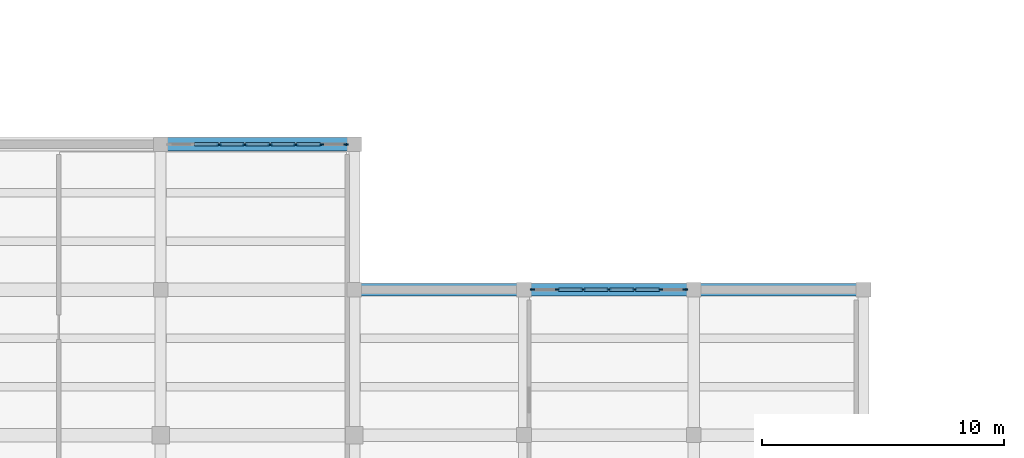
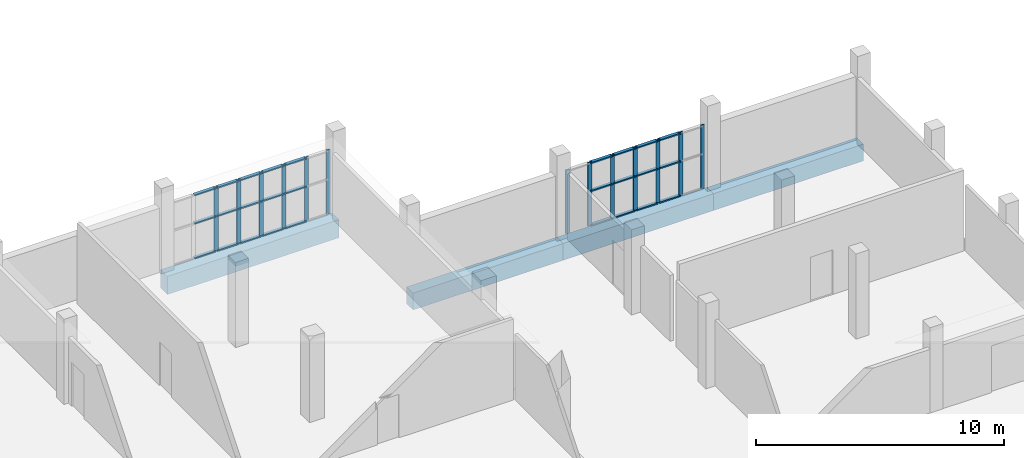
# One storey, part 31 of 85: 40 members, 4 beams, 2 elements without a shape of their own.
"""IFC4 building model written with IfcOpenShell, lengths in metres."""

from ifc_helpers import new_model, si_unit, direction, frame, origin, origin_2d, place, context, subcontext, project, spatial, rectangle, extrude, material, layer, layer_set, material_profile, profile_set, type_object, element, aggregate, save


model = new_model("IFC4")

# Units and contexts
model_context = context("Model", 3, precision=1e-05, world=origin(), true_north=direction((0.0, 1.0)))
body_context = subcontext(model_context, "Body", "Model", "MODEL_VIEW")
ifc_project = project(units=[si_unit("LENGTHUNIT", "METRE"), si_unit("AREAUNIT", "SQUARE_METRE"), si_unit("VOLUMEUNIT", "CUBIC_METRE"), si_unit("PLANEANGLEUNIT", "RADIAN"), si_unit("MASSUNIT", "GRAM", prefix="KILO")], contexts=[model_context])

# Site, building, storey
site_placement = place(None, origin())
site = spatial("IfcSite", under=ifc_project, at=site_placement, CompositionType="ELEMENT")
building_placement = place(site_placement, origin())
building = spatial("IfcBuilding", under=site, at=building_placement, Name="Solvane Community Centre", CompositionType="ELEMENT")
storey_placement = place(building_placement, frame((0.0, 0.0, 5.39990234375)))
storey = spatial("IfcBuildingStorey", under=building, at=storey_placement, Name="L01", CompositionType="ELEMENT", Elevation=5.39990234375)

# Curtain wall, members
ifc_material_1 = material(Name="Anodised bronze aluminium AW-6063 T6", Category="aluminium")
ifc_layer_1 = layer(ifc_material_1, 0.18994140625)
ifc_layer_set_1 = layer_set([ifc_layer_1], Name="Anodised bronze aluminium AW-6063 T6")
curtain_wall_type_1 = type_object("IfcCurtainWallType", Name="Boulevard Bronze Vision Curtain Wall [74x32dm]", PredefinedType="NOTDEFINED", material=ifc_layer_set_1)
curtain_wall_1_placement = place(storey_placement, origin())
curtain_wall_1 = element("IfcCurtainWall", 1, at=curtain_wall_1_placement, inside=storey, type_object=curtain_wall_type_1, Name="Curtain Wall CW-L01-1323_600-119", PredefinedType="NOTDEFINED")
ifc_material_profile_1 = material_profile(ifc_material_1, rectangle(XDim=0.06005859375, YDim=0.18994140625, at=origin_2d()), Name="CW-M 60x190")
ifc_profile_set_1 = profile_set([ifc_material_profile_1], Name="Anodised bronze aluminium AW-6063 T6")
member_type_1 = type_object("IfcMemberType", Name="Boulevard Mullion 60x190", PredefinedType="MULLION", material=ifc_profile_set_1)
member_1_placement = place(storey_placement, frame((134.420654296875, 60.0, 0.0), z_axis=(0.0, 0.0, 1.0), x_axis=(0.0, 1.0, 0.0)))
member_1 = element("IfcMember", 2, at=member_1_placement, type_object=member_type_1, Name="CW02-74x32 mullion 3", PredefinedType="MULLION", context=body_context, shape_type="SweptSolid", body=[
    extrude(rectangle(XDim=0.06005859375, YDim=0.18994140625, at=origin_2d()), origin(), (0.0, 0.0, 1.0), 3.1650390625),
])
member_2_placement = place(storey_placement, frame((135.4736328125, 60.0, 0.0), z_axis=(0.0, 0.0, 1.0), x_axis=(0.0, 1.0, 0.0)))
member_2 = element("IfcMember", 3, at=member_2_placement, type_object=member_type_1, Name="CW02-74x32 mullion 4", PredefinedType="MULLION", context=body_context, shape_type="SweptSolid", body=[
    extrude(rectangle(XDim=0.06005859375, YDim=0.18994140625, at=origin_2d()), origin(), (0.0, 0.0, 1.0), 3.1650390625),
])
member_3_placement = place(storey_placement, frame((136.5263671875, 60.0, 0.0), z_axis=(0.0, 0.0, 1.0), x_axis=(0.0, 1.0, 0.0)))
member_3 = element("IfcMember", 4, at=member_3_placement, type_object=member_type_1, Name="CW02-74x32 mullion 5", PredefinedType="MULLION", context=body_context, shape_type="SweptSolid", body=[
    extrude(rectangle(XDim=0.06005859375, YDim=0.18994140625, at=origin_2d()), origin(), (0.0, 0.0, 1.0), 3.1650390625),
])
member_4_placement = place(storey_placement, frame((137.579345703125, 60.0, 0.0), z_axis=(0.0, 0.0, 1.0), x_axis=(0.0, 1.0, 0.0)))
member_4 = element("IfcMember", 5, at=member_4_placement, type_object=member_type_1, Name="CW02-74x32 mullion 6", PredefinedType="MULLION", context=body_context, shape_type="SweptSolid", body=[
    extrude(rectangle(XDim=0.06005859375, YDim=0.18994140625, at=origin_2d()), origin(), (0.0, 0.0, 1.0), 3.1650390625),
])
member_5_placement = place(storey_placement, frame((138.632080078125, 60.0, 0.0), z_axis=(0.0, 0.0, 1.0), x_axis=(0.0, 1.0, 0.0)))
member_5 = element("IfcMember", 6, at=member_5_placement, type_object=member_type_1, Name="CW02-74x32 mullion 7", PredefinedType="MULLION", context=body_context, shape_type="SweptSolid", body=[
    extrude(rectangle(XDim=0.06005859375, YDim=0.18994140625, at=origin_2d()), origin(), (0.0, 0.0, 1.0), 3.1650390625),
])
member_6_placement = place(storey_placement, frame((139.655029296875, 60.0, 0.0), z_axis=(0.0, 0.0, 1.0), x_axis=(0.0, 1.0, 0.0)))
member_6 = element("IfcMember", 7, at=member_6_placement, type_object=member_type_1, Name="CW02-74x32 mullion 8", PredefinedType="MULLION", context=body_context, shape_type="SweptSolid", body=[
    extrude(rectangle(XDim=0.06005859375, YDim=0.18994140625, at=origin_2d()), origin(), (0.0, 0.0, 1.0), 3.1650390625),
])

ifc_layer_2 = layer(ifc_material_1, 0.18994140625)
ifc_layer_set_2 = layer_set([ifc_layer_2], Name="Anodised bronze aluminium AW-6063 T6")
curtain_wall_type_2 = type_object("IfcCurtainWallType", Name="Boulevard Bronze Vision Curtain Wall [64x31dm]", PredefinedType="NOTDEFINED", material=ifc_layer_set_2)
curtain_wall_2_placement = place(storey_placement, origin())
curtain_wall_2 = element("IfcCurtainWall", 8, at=curtain_wall_2_placement, inside=storey, type_object=curtain_wall_type_2, Name="Curtain Wall CW-L01-1473_540-120", PredefinedType="NOTDEFINED")
member_7_placement = place(storey_placement, frame((147.35009765625, 54.0, 0.0), z_axis=(0.0, 0.0, 1.0), x_axis=(0.0, 1.0, 0.0)))
member_7 = element("IfcMember", 9, at=member_7_placement, type_object=member_type_1, Name="CW02-64x31 mullion 1", PredefinedType="MULLION", context=body_context, shape_type="SweptSolid", body=[
    extrude(rectangle(XDim=0.06005859375, YDim=0.18994140625, at=origin_2d()), origin(), (0.0, 0.0, 1.0), 3.135009765625),
])
member_8_placement = place(storey_placement, frame((148.3798828125, 54.0, 0.0), z_axis=(0.0, 0.0, 1.0), x_axis=(0.0, 1.0, 0.0)))
member_8 = element("IfcMember", 10, at=member_8_placement, type_object=member_type_1, Name="CW02-64x31 mullion 2", PredefinedType="MULLION", context=body_context, shape_type="SweptSolid", body=[
    extrude(rectangle(XDim=0.06005859375, YDim=0.18994140625, at=origin_2d()), origin(), (0.0, 0.0, 1.0), 3.135009765625),
])
member_9_placement = place(storey_placement, frame((149.43994140625, 54.0, 0.0), z_axis=(0.0, 0.0, 1.0), x_axis=(0.0, 1.0, 0.0)))
member_9 = element("IfcMember", 11, at=member_9_placement, type_object=member_type_1, Name="CW02-64x31 mullion 3", PredefinedType="MULLION", context=body_context, shape_type="SweptSolid", body=[
    extrude(rectangle(XDim=0.06005859375, YDim=0.18994140625, at=origin_2d()), origin(), (0.0, 0.0, 1.0), 3.135009765625),
])
member_10_placement = place(storey_placement, frame((150.5, 54.0, 0.0), z_axis=(0.0, 0.0, 1.0), x_axis=(0.0, 1.0, 0.0)))
member_10 = element("IfcMember", 12, at=member_10_placement, type_object=member_type_1, Name="CW02-64x31 mullion 4", PredefinedType="MULLION", context=body_context, shape_type="SweptSolid", body=[
    extrude(rectangle(XDim=0.06005859375, YDim=0.18994140625, at=origin_2d()), origin(), (0.0, 0.0, 1.0), 3.135009765625),
])
member_11_placement = place(storey_placement, frame((151.56005859375, 54.0, 0.0), z_axis=(0.0, 0.0, 1.0), x_axis=(0.0, 1.0, 0.0)))
member_11 = element("IfcMember", 13, at=member_11_placement, type_object=member_type_1, Name="CW02-64x31 mullion 5", PredefinedType="MULLION", context=body_context, shape_type="SweptSolid", body=[
    extrude(rectangle(XDim=0.06005859375, YDim=0.18994140625, at=origin_2d()), origin(), (0.0, 0.0, 1.0), 3.135009765625),
])
member_12_placement = place(storey_placement, frame((152.6201171875, 54.0, 0.0), z_axis=(0.0, 0.0, 1.0), x_axis=(0.0, 1.0, 0.0)))
member_12 = element("IfcMember", 14, at=member_12_placement, type_object=member_type_1, Name="CW02-64x31 mullion 6", PredefinedType="MULLION", context=body_context, shape_type="SweptSolid", body=[
    extrude(rectangle(XDim=0.06005859375, YDim=0.18994140625, at=origin_2d()), origin(), (0.0, 0.0, 1.0), 3.135009765625),
])
member_13_placement = place(storey_placement, frame((153.64990234375, 54.0, 0.0), z_axis=(0.0, 0.0, 1.0), x_axis=(0.0, 1.0, 0.0)))
member_13 = element("IfcMember", 15, at=member_13_placement, type_object=member_type_1, Name="CW02-64x31 mullion 7", PredefinedType="MULLION", context=body_context, shape_type="SweptSolid", body=[
    extrude(rectangle(XDim=0.06005859375, YDim=0.18994140625, at=origin_2d()), origin(), (0.0, 0.0, 1.0), 3.135009765625),
])

# Member
ifc_material_profile_2 = material_profile(ifc_material_1, rectangle(XDim=0.14990234375, YDim=0.06005859375, at=origin_2d()), Name="CW-T 60x150")
ifc_profile_set_2 = profile_set([ifc_material_profile_2], Name="Anodised bronze aluminium AW-6063 T6")
member_type_2 = type_object("IfcMemberType", Name="Boulevard Transom 60x150", PredefinedType="USERDEFINED", material=ifc_profile_set_2)
member_14_placement = place(storey_placement, frame((133.39794921875, 60.0, 0.030029296875), z_axis=(1.0, 0.0, 0.0), x_axis=(0.0, 1.0, 0.0)))
member_14 = element("IfcMember", 16, at=member_14_placement, type_object=member_type_2, Name="CW02-74x32 transom 2.1", ObjectType="TRANSOM", PredefinedType="USERDEFINED", context=body_context, shape_type="SweptSolid", body=[
    extrude(rectangle(XDim=0.14990234375, YDim=0.06005859375, at=origin_2d()), origin(), (0.0, 0.0, 1.0), 0.99267578125),
])

member_15_placement = place(storey_placement, frame((133.39794921875, 60.0, 1.7412109375), z_axis=(1.0, 0.0, 0.0), x_axis=(0.0, 1.0, 0.0)))
member_15 = element("IfcMember", 17, at=member_15_placement, type_object=member_type_2, Name="CW02-74x32 transom 2.2", ObjectType="TRANSOM", PredefinedType="USERDEFINED", context=body_context, shape_type="SweptSolid", body=[
    extrude(rectangle(XDim=0.14990234375, YDim=0.06005859375, at=origin_2d()), origin(), (0.0, 0.0, 1.0), 0.99267578125),
])

member_16_placement = place(storey_placement, frame((133.39794921875, 60.0, 3.135009765625), z_axis=(1.0, 0.0, 0.0), x_axis=(0.0, 1.0, 0.0)))
member_16 = element("IfcMember", 18, at=member_16_placement, type_object=member_type_2, Name="CW02-74x32 transom 2.3", ObjectType="TRANSOM", PredefinedType="USERDEFINED", context=body_context, shape_type="SweptSolid", body=[
    extrude(rectangle(XDim=0.14990234375, YDim=0.06005859375, at=origin_2d()), origin(), (0.0, 0.0, 1.0), 0.99267578125),
])

member_17_placement = place(storey_placement, frame((134.45068359375, 60.0, 0.030029296875), z_axis=(1.0, 0.0, 0.0), x_axis=(0.0, 1.0, 0.0)))
member_17 = element("IfcMember", 19, at=member_17_placement, type_object=member_type_2, Name="CW02-74x32 transom 3.1", ObjectType="TRANSOM", PredefinedType="USERDEFINED", context=body_context, shape_type="SweptSolid", body=[
    extrude(rectangle(XDim=0.14990234375, YDim=0.06005859375, at=origin_2d()), origin(), (0.0, 0.0, 1.0), 0.992919921875),
])

member_18_placement = place(storey_placement, frame((134.45068359375, 60.0, 1.7412109375), z_axis=(1.0, 0.0, 0.0), x_axis=(0.0, 1.0, 0.0)))
member_18 = element("IfcMember", 20, at=member_18_placement, type_object=member_type_2, Name="CW02-74x32 transom 3.2", ObjectType="TRANSOM", PredefinedType="USERDEFINED", context=body_context, shape_type="SweptSolid", body=[
    extrude(rectangle(XDim=0.14990234375, YDim=0.06005859375, at=origin_2d()), origin(), (0.0, 0.0, 1.0), 0.992919921875),
])

member_19_placement = place(storey_placement, frame((134.45068359375, 60.0, 3.135009765625), z_axis=(1.0, 0.0, 0.0), x_axis=(0.0, 1.0, 0.0)))
member_19 = element("IfcMember", 21, at=member_19_placement, type_object=member_type_2, Name="CW02-74x32 transom 3.3", ObjectType="TRANSOM", PredefinedType="USERDEFINED", context=body_context, shape_type="SweptSolid", body=[
    extrude(rectangle(XDim=0.14990234375, YDim=0.06005859375, at=origin_2d()), origin(), (0.0, 0.0, 1.0), 0.992919921875),
])

member_20_placement = place(storey_placement, frame((135.503662109375, 60.0, 0.030029296875), z_axis=(1.0, 0.0, 0.0), x_axis=(0.0, 1.0, 0.0)))
member_20 = element("IfcMember", 22, at=member_20_placement, type_object=member_type_2, Name="CW02-74x32 transom 4.1", ObjectType="TRANSOM", PredefinedType="USERDEFINED", context=body_context, shape_type="SweptSolid", body=[
    extrude(rectangle(XDim=0.14990234375, YDim=0.06005859375, at=origin_2d()), origin(), (0.0, 0.0, 1.0), 0.99267578125),
])

member_21_placement = place(storey_placement, frame((135.503662109375, 60.0, 1.7412109375), z_axis=(1.0, 0.0, 0.0), x_axis=(0.0, 1.0, 0.0)))
member_21 = element("IfcMember", 23, at=member_21_placement, type_object=member_type_2, Name="CW02-74x32 transom 4.2", ObjectType="TRANSOM", PredefinedType="USERDEFINED", context=body_context, shape_type="SweptSolid", body=[
    extrude(rectangle(XDim=0.14990234375, YDim=0.06005859375, at=origin_2d()), origin(), (0.0, 0.0, 1.0), 0.99267578125),
])

member_22_placement = place(storey_placement, frame((135.503662109375, 60.0, 3.135009765625), z_axis=(1.0, 0.0, 0.0), x_axis=(0.0, 1.0, 0.0)))
member_22 = element("IfcMember", 24, at=member_22_placement, type_object=member_type_2, Name="CW02-74x32 transom 4.3", ObjectType="TRANSOM", PredefinedType="USERDEFINED", context=body_context, shape_type="SweptSolid", body=[
    extrude(rectangle(XDim=0.14990234375, YDim=0.06005859375, at=origin_2d()), origin(), (0.0, 0.0, 1.0), 0.99267578125),
])

member_23_placement = place(storey_placement, frame((136.556396484375, 60.0, 0.030029296875), z_axis=(1.0, 0.0, 0.0), x_axis=(0.0, 1.0, 0.0)))
member_23 = element("IfcMember", 25, at=member_23_placement, type_object=member_type_2, Name="CW02-74x32 transom 5.1", ObjectType="TRANSOM", PredefinedType="USERDEFINED", context=body_context, shape_type="SweptSolid", body=[
    extrude(rectangle(XDim=0.14990234375, YDim=0.06005859375, at=origin_2d()), origin(), (0.0, 0.0, 1.0), 0.992919921875),
])

member_24_placement = place(storey_placement, frame((136.556396484375, 60.0, 1.7412109375), z_axis=(1.0, 0.0, 0.0), x_axis=(0.0, 1.0, 0.0)))
member_24 = element("IfcMember", 26, at=member_24_placement, type_object=member_type_2, Name="CW02-74x32 transom 5.2", ObjectType="TRANSOM", PredefinedType="USERDEFINED", context=body_context, shape_type="SweptSolid", body=[
    extrude(rectangle(XDim=0.14990234375, YDim=0.06005859375, at=origin_2d()), origin(), (0.0, 0.0, 1.0), 0.992919921875),
])

member_25_placement = place(storey_placement, frame((136.556396484375, 60.0, 3.135009765625), z_axis=(1.0, 0.0, 0.0), x_axis=(0.0, 1.0, 0.0)))
member_25 = element("IfcMember", 27, at=member_25_placement, type_object=member_type_2, Name="CW02-74x32 transom 5.3", ObjectType="TRANSOM", PredefinedType="USERDEFINED", context=body_context, shape_type="SweptSolid", body=[
    extrude(rectangle(XDim=0.14990234375, YDim=0.06005859375, at=origin_2d()), origin(), (0.0, 0.0, 1.0), 0.992919921875),
])

member_26_placement = place(storey_placement, frame((137.609375, 60.0, 0.030029296875), z_axis=(1.0, 0.0, 0.0), x_axis=(0.0, 1.0, 0.0)))
member_26 = element("IfcMember", 28, at=member_26_placement, type_object=member_type_2, Name="CW02-74x32 transom 6.1", ObjectType="TRANSOM", PredefinedType="USERDEFINED", context=body_context, shape_type="SweptSolid", body=[
    extrude(rectangle(XDim=0.14990234375, YDim=0.06005859375, at=origin_2d()), origin(), (0.0, 0.0, 1.0), 0.99267578125),
])

member_27_placement = place(storey_placement, frame((137.609375, 60.0, 1.7412109375), z_axis=(1.0, 0.0, 0.0), x_axis=(0.0, 1.0, 0.0)))
member_27 = element("IfcMember", 29, at=member_27_placement, type_object=member_type_2, Name="CW02-74x32 transom 6.2", ObjectType="TRANSOM", PredefinedType="USERDEFINED", context=body_context, shape_type="SweptSolid", body=[
    extrude(rectangle(XDim=0.14990234375, YDim=0.06005859375, at=origin_2d()), origin(), (0.0, 0.0, 1.0), 0.99267578125),
])

member_28_placement = place(storey_placement, frame((137.609375, 60.0, 3.135009765625), z_axis=(1.0, 0.0, 0.0), x_axis=(0.0, 1.0, 0.0)))
member_28 = element("IfcMember", 30, at=member_28_placement, type_object=member_type_2, Name="CW02-74x32 transom 6.3", ObjectType="TRANSOM", PredefinedType="USERDEFINED", context=body_context, shape_type="SweptSolid", body=[
    extrude(rectangle(XDim=0.14990234375, YDim=0.06005859375, at=origin_2d()), origin(), (0.0, 0.0, 1.0), 0.99267578125),
])

aggregate(curtain_wall_1, [member_1, member_2, member_3, member_4, member_5, member_6, member_14, member_15, member_16, member_17, member_18, member_19, member_20, member_21, member_22, member_23, member_24, member_25, member_26, member_27, member_28])

member_29_placement = place(storey_placement, frame((148.409912109375, 54.0, 0.030029296875), z_axis=(1.0, 0.0, 0.0), x_axis=(0.0, 1.0, 0.0)))
member_29 = element("IfcMember", 31, at=member_29_placement, type_object=member_type_2, Name="CW02-64x31 transom 2.1", ObjectType="TRANSOM", PredefinedType="USERDEFINED", context=body_context, shape_type="SweptSolid", body=[
    extrude(rectangle(XDim=0.14990234375, YDim=0.06005859375, at=origin_2d()), origin(), (0.0, 0.0, 1.0), 1.0),
])

member_30_placement = place(storey_placement, frame((148.409912109375, 54.0, 1.72412109375), z_axis=(1.0, 0.0, 0.0), x_axis=(0.0, 1.0, 0.0)))
member_30 = element("IfcMember", 32, at=member_30_placement, type_object=member_type_2, Name="CW02-64x31 transom 2.2", ObjectType="TRANSOM", PredefinedType="USERDEFINED", context=body_context, shape_type="SweptSolid", body=[
    extrude(rectangle(XDim=0.14990234375, YDim=0.06005859375, at=origin_2d()), origin(), (0.0, 0.0, 1.0), 1.0),
])

member_31_placement = place(storey_placement, frame((148.409912109375, 54.0, 3.10498046875), z_axis=(1.0, 0.0, 0.0), x_axis=(0.0, 1.0, 0.0)))
member_31 = element("IfcMember", 33, at=member_31_placement, type_object=member_type_2, Name="CW02-64x31 transom 2.3", ObjectType="TRANSOM", PredefinedType="USERDEFINED", context=body_context, shape_type="SweptSolid", body=[
    extrude(rectangle(XDim=0.14990234375, YDim=0.06005859375, at=origin_2d()), origin(), (0.0, 0.0, 1.0), 1.0),
])

member_32_placement = place(storey_placement, frame((149.469970703125, 54.0, 0.030029296875), z_axis=(1.0, 0.0, 0.0), x_axis=(0.0, 1.0, 0.0)))
member_32 = element("IfcMember", 34, at=member_32_placement, type_object=member_type_2, Name="CW02-64x31 transom 3.1", ObjectType="TRANSOM", PredefinedType="USERDEFINED", context=body_context, shape_type="SweptSolid", body=[
    extrude(rectangle(XDim=0.14990234375, YDim=0.06005859375, at=origin_2d()), origin(), (0.0, 0.0, 1.0), 1.0),
])

member_33_placement = place(storey_placement, frame((149.469970703125, 54.0, 1.72412109375), z_axis=(1.0, 0.0, 0.0), x_axis=(0.0, 1.0, 0.0)))
member_33 = element("IfcMember", 35, at=member_33_placement, type_object=member_type_2, Name="CW02-64x31 transom 3.2", ObjectType="TRANSOM", PredefinedType="USERDEFINED", context=body_context, shape_type="SweptSolid", body=[
    extrude(rectangle(XDim=0.14990234375, YDim=0.06005859375, at=origin_2d()), origin(), (0.0, 0.0, 1.0), 1.0),
])

member_34_placement = place(storey_placement, frame((149.469970703125, 54.0, 3.10498046875), z_axis=(1.0, 0.0, 0.0), x_axis=(0.0, 1.0, 0.0)))
member_34 = element("IfcMember", 36, at=member_34_placement, type_object=member_type_2, Name="CW02-64x31 transom 3.3", ObjectType="TRANSOM", PredefinedType="USERDEFINED", context=body_context, shape_type="SweptSolid", body=[
    extrude(rectangle(XDim=0.14990234375, YDim=0.06005859375, at=origin_2d()), origin(), (0.0, 0.0, 1.0), 1.0),
])

member_35_placement = place(storey_placement, frame((150.530029296875, 54.0, 0.030029296875), z_axis=(1.0, 0.0, 0.0), x_axis=(0.0, 1.0, 0.0)))
member_35 = element("IfcMember", 37, at=member_35_placement, type_object=member_type_2, Name="CW02-64x31 transom 4.1", ObjectType="TRANSOM", PredefinedType="USERDEFINED", context=body_context, shape_type="SweptSolid", body=[
    extrude(rectangle(XDim=0.14990234375, YDim=0.06005859375, at=origin_2d()), origin(), (0.0, 0.0, 1.0), 1.0),
])

member_36_placement = place(storey_placement, frame((150.530029296875, 54.0, 1.72412109375), z_axis=(1.0, 0.0, 0.0), x_axis=(0.0, 1.0, 0.0)))
member_36 = element("IfcMember", 38, at=member_36_placement, type_object=member_type_2, Name="CW02-64x31 transom 4.2", ObjectType="TRANSOM", PredefinedType="USERDEFINED", context=body_context, shape_type="SweptSolid", body=[
    extrude(rectangle(XDim=0.14990234375, YDim=0.06005859375, at=origin_2d()), origin(), (0.0, 0.0, 1.0), 1.0),
])

member_37_placement = place(storey_placement, frame((150.530029296875, 54.0, 3.10498046875), z_axis=(1.0, 0.0, 0.0), x_axis=(0.0, 1.0, 0.0)))
member_37 = element("IfcMember", 39, at=member_37_placement, type_object=member_type_2, Name="CW02-64x31 transom 4.3", ObjectType="TRANSOM", PredefinedType="USERDEFINED", context=body_context, shape_type="SweptSolid", body=[
    extrude(rectangle(XDim=0.14990234375, YDim=0.06005859375, at=origin_2d()), origin(), (0.0, 0.0, 1.0), 1.0),
])

member_38_placement = place(storey_placement, frame((151.590087890625, 54.0, 0.030029296875), z_axis=(1.0, 0.0, 0.0), x_axis=(0.0, 1.0, 0.0)))
member_38 = element("IfcMember", 40, at=member_38_placement, type_object=member_type_2, Name="CW02-64x31 transom 5.1", ObjectType="TRANSOM", PredefinedType="USERDEFINED", context=body_context, shape_type="SweptSolid", body=[
    extrude(rectangle(XDim=0.14990234375, YDim=0.06005859375, at=origin_2d()), origin(), (0.0, 0.0, 1.0), 1.0),
])

member_39_placement = place(storey_placement, frame((151.590087890625, 54.0, 1.72412109375), z_axis=(1.0, 0.0, 0.0), x_axis=(0.0, 1.0, 0.0)))
member_39 = element("IfcMember", 41, at=member_39_placement, type_object=member_type_2, Name="CW02-64x31 transom 5.2", ObjectType="TRANSOM", PredefinedType="USERDEFINED", context=body_context, shape_type="SweptSolid", body=[
    extrude(rectangle(XDim=0.14990234375, YDim=0.06005859375, at=origin_2d()), origin(), (0.0, 0.0, 1.0), 1.0),
])

member_40_placement = place(storey_placement, frame((151.590087890625, 54.0, 3.10498046875), z_axis=(1.0, 0.0, 0.0), x_axis=(0.0, 1.0, 0.0)))
member_40 = element("IfcMember", 42, at=member_40_placement, type_object=member_type_2, Name="CW02-64x31 transom 5.3", ObjectType="TRANSOM", PredefinedType="USERDEFINED", context=body_context, shape_type="SweptSolid", body=[
    extrude(rectangle(XDim=0.14990234375, YDim=0.06005859375, at=origin_2d()), origin(), (0.0, 0.0, 1.0), 1.0),
])

aggregate(curtain_wall_2, [member_7, member_8, member_9, member_10, member_11, member_12, member_13, member_29, member_30, member_31, member_32, member_33, member_34, member_35, member_36, member_37, member_38, member_39, member_40])

# Beams
ifc_material_2 = material(Name="Concrete C35/45", Category="concrete")
ifc_material_profile_3 = material_profile(ifc_material_2, rectangle(XDim=0.550048828125, YDim=0.89990234375, at=origin_2d()), Name="RC 550x900")
ifc_profile_set_3 = profile_set([ifc_material_profile_3], Name="Concrete C35/45")
beam_type_1 = type_object("IfcBeamType", Name="RC Heavy Girder 550x900", PredefinedType="USERDEFINED", material=ifc_profile_set_3)
beam_placement = place(storey_placement, frame((132.0, 60.0, -0.68994140625), z_axis=(1.0, 0.0, 0.0), x_axis=(0.0, 1.0, 0.0)))
element("IfcBeam", 43, at=beam_placement, inside=storey, type_object=beam_type_1, Name="Beam BM-L01-1320_600-1400_600", ObjectType="GIRDER", PredefinedType="USERDEFINED", context=body_context, shape_type="SweptSolid", body=[
    extrude(rectangle(XDim=0.550048828125, YDim=0.89990234375, at=origin_2d()), origin(), (0.0, 0.0, 1.0), 8.0),
])
ifc_material_profile_4 = material_profile(ifc_material_2, rectangle(XDim=0.52001953125, YDim=0.830078125, at=origin_2d()), Name="RC 520x830")
ifc_profile_set_4 = profile_set([ifc_material_profile_4], Name="Concrete C35/45")
beam_type_2 = type_object("IfcBeamType", Name="RC Medium Girder 520x830", PredefinedType="USERDEFINED", material=ifc_profile_set_4)
for number, where, z_axis, x_axis, name in (
    (44, (140.0, 54.0, -0.65478515625), (1.0, 0.0, 0.0), (0.0, 1.0, 0.0), "Beam BM-L01-1400_540-1470_540"),
    (45, (147.0, 54.0, -0.65478515625), (1.0, 0.0, 0.0), (0.0, 1.0, 0.0), "Beam BM-L01-1470_540-1540_540"),
    (46, (154.0, 54.0, -0.65478515625), (1.0, 0.0, 0.0), (0.0, 1.0, 0.0), "Beam BM-L01-1540_540-1610_540"),
):
    element("IfcBeam", number, at=place(storey_placement, frame(where, z_axis=z_axis, x_axis=x_axis)), inside=storey, type_object=beam_type_2, Name=name, ObjectType="GIRDER", PredefinedType="USERDEFINED", context=body_context, shape_type="SweptSolid", body=[
        extrude(rectangle(XDim=0.52001953125, YDim=0.830078125, at=origin_2d()), origin(), (0.0, 0.0, 1.0), 7.0),
    ])

save(model, "model.ifc")
